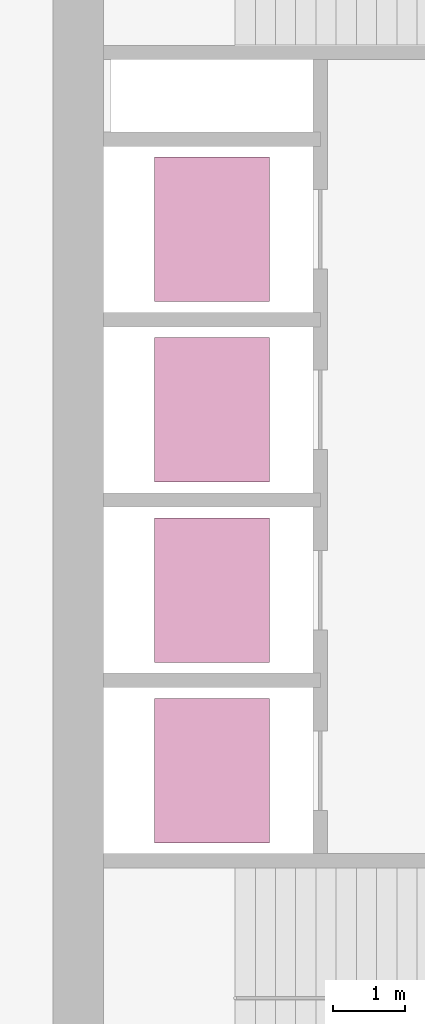
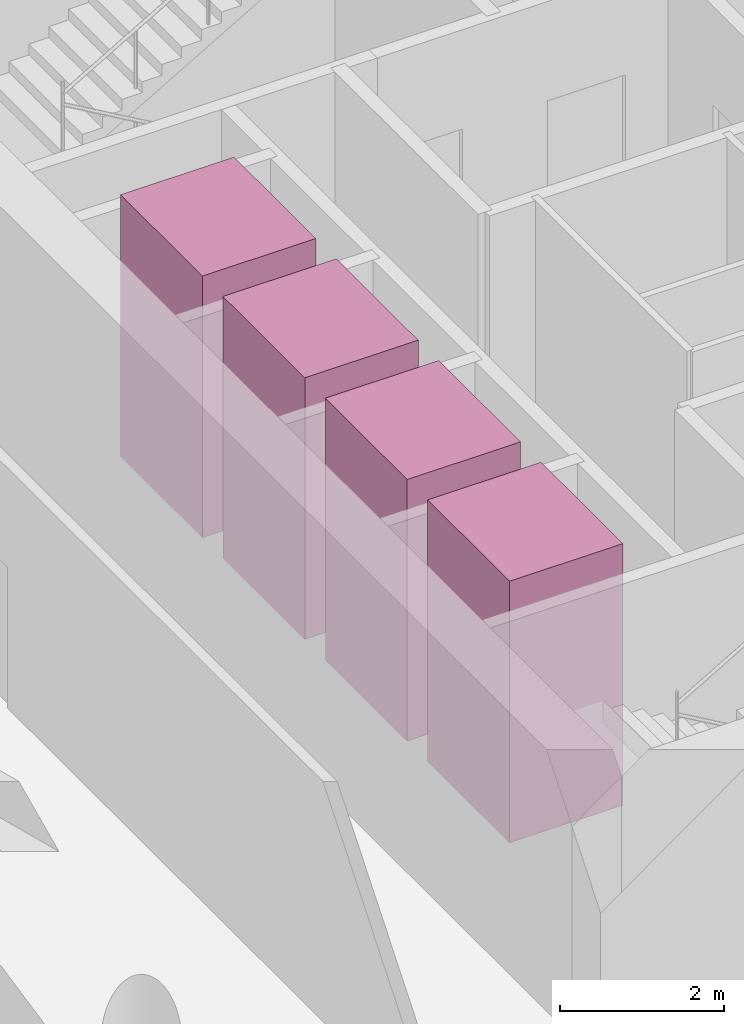
# One storey, part 9 of 9: 4 transport elements.
"""IFC4 building model written with IfcOpenShell, lengths in metres."""

from ifc_helpers import new_model, si_unit, direction, frame, origin, origin_2d, place, context, subcontext, project, spatial, rectangle, extrude, material, type_object, element, save


model = new_model("IFC4")

# Units and contexts
model_context = context("Model", 3, precision=1e-05, world=origin(), true_north=direction((0.0, 1.0)))
body_context = subcontext(model_context, "Body", "Model", "MODEL_VIEW")
ifc_project = project(units=[si_unit("LENGTHUNIT", "METRE"), si_unit("AREAUNIT", "SQUARE_METRE"), si_unit("VOLUMEUNIT", "CUBIC_METRE"), si_unit("PLANEANGLEUNIT", "RADIAN"), si_unit("MASSUNIT", "GRAM", prefix="KILO")], contexts=[model_context])

# Site, building, storey
site_placement = place(None, origin())
site = spatial("IfcSite", under=ifc_project, at=site_placement, CompositionType="ELEMENT")
building_placement = place(site_placement, origin())
building = spatial("IfcBuilding", under=site, at=building_placement, Name="Qaws Garden Tower", CompositionType="ELEMENT")
storey_placement = place(building_placement, frame((0.0, 0.0, 155.10009765625)))
storey = spatial("IfcBuildingStorey", under=building, at=storey_placement, Name="L37", CompositionType="ELEMENT", Elevation=155.10009765625)

# Transport elements
ifc_material = material(Name="Stainless steel 316", Category="steel")
transport_element_type = type_object("IfcTransportElementType", Name="Passenger lift car 2000x1600 1800 kg", PredefinedType="ELEVATOR", material=ifc_material)
for number, where, z_axis, x_axis, name in (
    (1, (10.199951171875, 13.64990234375, 0.0), (0.0, 0.0, 1.0), (1.0, 0.0, 0.0), "MR1"),
    (2, (10.199951171875, 16.14990234375, 0.0), (0.0, 0.0, 1.0), (1.0, 0.0, 0.0), "MR2"),
    (3, (10.199951171875, 18.64990234375, 0.0), (0.0, 0.0, 1.0), (1.0, 0.0, 0.0), "MR3"),
    (4, (10.199951171875, 21.14990234375, 0.0), (0.0, 0.0, 1.0), (1.0, 0.0, 0.0), "MR4"),
):
    element("IfcTransportElement", number, at=place(storey_placement, frame(where, z_axis=z_axis, x_axis=x_axis)), inside=storey, type_object=transport_element_type, Name=name, PredefinedType="ELEVATOR", context=body_context, shape_type="SweptSolid", body=[
        extrude(rectangle(XDim=1.60009765625, YDim=2.0, at=origin_2d()), origin(), (0.0, 0.0, 1.0), 3.89990234375),
    ])

save(model, "model.ifc")
